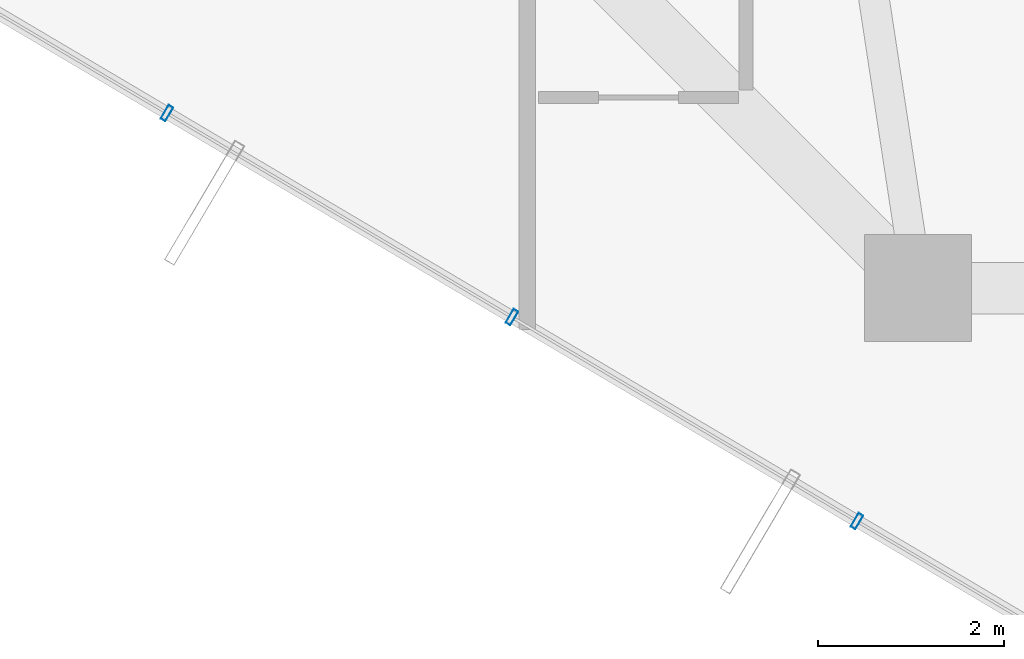
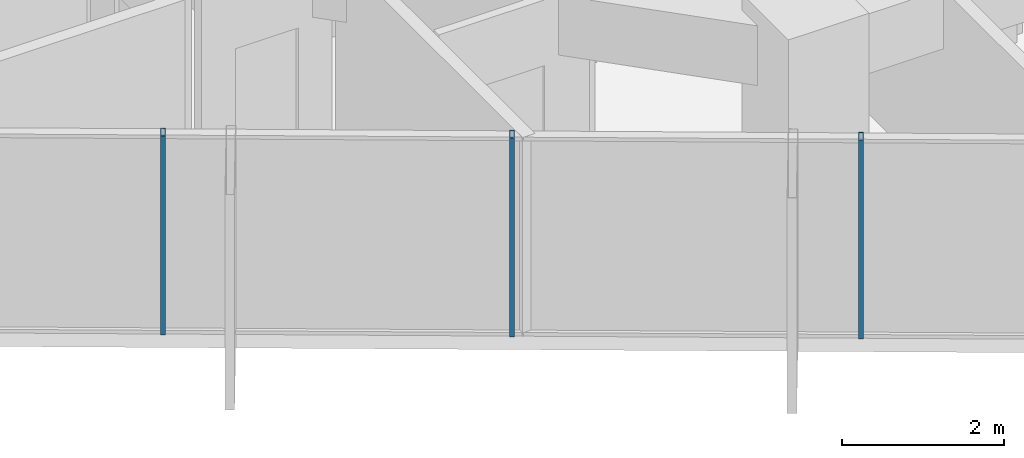
# One storey, part 2 of 30: 3 members, 1 element without a shape of its own.
"""IFC4 building model written with IfcOpenShell, lengths in metres."""

import ifcopenshell
import ifcopenshell.guid

model = None  # the IFC model being written
_history = None  # IfcOwnerHistory: only IFC2X3 demands one
_inside = {}  # id of a spatial element -> (the spatial element, [elements in it])
_under = {}  # id of a project, library or spatial element -> (it, [spatial elements below it])
_declared = {}  # id of a project -> (the project, [libraries it declares])
_typed = {}  # id of a type object -> (the type object, [elements of that type])
_made_of = {}  # id of a material, layer set ... -> (it, [elements and type objects made of it])


def new_model(schema):
    """Start an empty IFC model of exactly this schema.

    Asked for "IFC4X3", IfcOpenShell would pick the latest addendum, in which some entities
    have other attributes; the version numbers below select the first issue.
    IFC2X3 requires an IfcOwnerHistory on every rooted entity: one is made here for all.
    """
    global model, _history
    if schema == "IFC4X3":
        model = ifcopenshell.file(schema_version=(4, 3, 0, 0))
    else:
        model = ifcopenshell.file(schema=schema)
    _inside.clear()
    _under.clear()
    _declared.clear()
    _typed.clear()
    _made_of.clear()
    _history = None
    if model.schema == "IFC2X3":
        org = make("IfcOrganization", Name="unknown")
        user = make(
            "IfcPersonAndOrganization",
            ThePerson=make("IfcPerson", FamilyName="unknown"),
            TheOrganization=org,
        )
        app = make(
            "IfcApplication",
            ApplicationDeveloper=org,
            Version="unknown",
            ApplicationFullName="unknown",
            ApplicationIdentifier="unknown",
        )
        _history = make(
            "IfcOwnerHistory",
            OwningUser=user,
            OwningApplication=app,
            ChangeAction="ADDED",
            CreationDate=0,
        )
    return model


def make(cls, **values):
    """One entity of the class cls with the attributes given. An attribute that is None is left unset."""
    return model.create_entity(
        cls, **{name: value for name, value in values.items() if value is not None}
    )


def rooted(cls, **values):
    """An entity with a GlobalId (a new one), such as an element, a storey or a relation."""
    return make(cls, GlobalId=ifcopenshell.guid.new(), OwnerHistory=_history, **values)


def si_unit(unit_type, name, prefix=None):
    """IfcSIUnit, for example si_unit("LENGTHUNIT", "METRE", prefix="MILLI")."""
    return make("IfcSIUnit", UnitType=unit_type, Prefix=prefix, Name=name)


def assignment(units):
    """IfcUnitAssignment: the units of a project."""
    return None if units is None else make("IfcUnitAssignment", Units=units)


def point(xyz):
    """IfcCartesianPoint."""
    return None if xyz is None else make("IfcCartesianPoint", Coordinates=xyz)


def direction(xyz):
    """IfcDirection."""
    return None if xyz is None else make("IfcDirection", DirectionRatios=xyz)


def frame(location, z_axis=None, x_axis=None):
    """IfcAxis2Placement3D, a coordinate frame: its origin and axes. An axis left out is left unset."""
    return make(
        "IfcAxis2Placement3D",
        Location=point(location),
        Axis=direction(z_axis),
        RefDirection=direction(x_axis),
    )


def frame_2d(location, x_axis=None):
    """IfcAxis2Placement2D, a coordinate frame in the plane: its origin and x axis."""
    return make(
        "IfcAxis2Placement2D", Location=point(location), RefDirection=direction(x_axis)
    )


def origin():
    """The frame at (0, 0, 0) with its axes left unset."""
    return frame((0.0, 0.0, 0.0))


def origin_2d():
    """The frame at (0, 0) in the plane with its x axis left unset."""
    return frame_2d((0.0, 0.0))


def place(relative_to, where):
    """IfcLocalPlacement: puts the frame where relative to a parent placement (None: the world)."""
    return make(
        "IfcLocalPlacement", PlacementRelTo=relative_to, RelativePlacement=where
    )


def context(
    kind, dimensions, precision=None, world=None, true_north=None, identifier=None
):
    """IfcGeometricRepresentationContext, for example the 3D "Model" context."""
    return make(
        "IfcGeometricRepresentationContext",
        ContextIdentifier=identifier,
        ContextType=kind,
        CoordinateSpaceDimension=dimensions,
        Precision=precision,
        WorldCoordinateSystem=world,
        TrueNorth=true_north,
    )


def subcontext(parent, identifier, kind, view, scale=None):
    """IfcGeometricRepresentationSubContext, for example "Body" below "Model"."""
    return make(
        "IfcGeometricRepresentationSubContext",
        ContextIdentifier=identifier,
        ContextType=kind,
        ParentContext=parent,
        TargetScale=scale,
        TargetView=view,
    )


def project(units=None, contexts=None):
    """IfcProject with its units and contexts."""
    return rooted(
        "IfcProject",
        Name="project",
        RepresentationContexts=contexts,
        UnitsInContext=assignment(units),
    )


def spatial(cls, under=None, at=None, **own):
    """A site, building, storey or space (cls), placed at a placement, below another one or the project."""
    s = rooted(cls, ObjectPlacement=at, **own)
    if under is not None:
        _under.setdefault(under.id(), (under, []))[1].append(s)
    return s


def profile(cls, at=None, kind="AREA", **sizes):
    """A parametric profile (cls). Its sizes go by their IFC names, for example OverallWidth=200.0."""
    return make(cls, ProfileType=kind, Position=at, **sizes)


def hollow_rectangle(**sizes):
    """IfcRectangleHollowProfileDef."""
    return profile("IfcRectangleHollowProfileDef", **sizes)


def extrude(swept, where, along, depth):
    """IfcExtrudedAreaSolid: the profile swept, set in the frame where, extruded along a direction by depth."""
    return make(
        "IfcExtrudedAreaSolid",
        SweptArea=swept,
        Position=where,
        ExtrudedDirection=direction(along),
        Depth=depth,
    )


def shape(context_of_items, identifier, shape_type, items):
    """IfcShapeRepresentation: the items that make up one representation, for example the "Body"."""
    return make(
        "IfcShapeRepresentation",
        ContextOfItems=context_of_items,
        RepresentationIdentifier=identifier,
        RepresentationType=shape_type,
        Items=items,
    )


def source(mapping_origin, context_of_items, identifier, shape_type, items):
    """IfcRepresentationMap: a shape defined once, which mapped items show again and again."""
    return make(
        "IfcRepresentationMap",
        MappingOrigin=mapping_origin,
        MappedRepresentation=shape(context_of_items, identifier, shape_type, items),
    )


def transform(
    local_origin,
    x_axis=None,
    y_axis=None,
    z_axis=None,
    scale=None,
    scale2=None,
    scale3=None,
    uniform=True,
):
    """IfcCartesianTransformationOperator3D, or its non-uniform kind. x_axis, y_axis, z_axis: its Axis1, 2, 3."""
    if uniform:
        return make(
            "IfcCartesianTransformationOperator3D",
            Axis1=direction(x_axis),
            Axis2=direction(y_axis),
            LocalOrigin=point(local_origin),
            Scale=scale,
            Axis3=direction(z_axis),
        )
    return make(
        "IfcCartesianTransformationOperator3DnonUniform",
        Axis1=direction(x_axis),
        Axis2=direction(y_axis),
        LocalOrigin=point(local_origin),
        Scale=scale,
        Axis3=direction(z_axis),
        Scale2=scale2,
        Scale3=scale3,
    )


def mapped(mapping_source, mapping_target):
    """IfcMappedItem: shows the shape of a source again, moved by a transform."""
    return make(
        "IfcMappedItem", MappingSource=mapping_source, MappingTarget=mapping_target
    )


def material(Name=None, Category=None):
    """IfcMaterial."""
    return make("IfcMaterial", Name=Name, Category=Category)


def layer(
    of_material, thickness, ventilated=None, Name=None, Category=None, Priority=None
):
    """IfcMaterialLayer: one layer of a wall or slab, of a material (None: an air gap)."""
    return make(
        "IfcMaterialLayer",
        Material=of_material,
        LayerThickness=thickness,
        IsVentilated=ventilated,
        Name=Name,
        Category=Category,
        Priority=Priority,
    )


def layer_set(layers, Name=None):
    """IfcMaterialLayerSet."""
    return make("IfcMaterialLayerSet", MaterialLayers=layers, LayerSetName=Name)


def material_profile(
    of_material, cross_section, Name=None, Category=None, Priority=None
):
    """IfcMaterialProfile: a cross section and its material."""
    return make(
        "IfcMaterialProfile",
        Name=Name,
        Material=of_material,
        Profile=cross_section,
        Priority=Priority,
        Category=Category,
    )


def profile_set(profiles, Name=None, composite=None):
    """IfcMaterialProfileSet."""
    return make(
        "IfcMaterialProfileSet",
        Name=Name,
        MaterialProfiles=profiles,
        CompositeProfile=composite,
    )


def made_of(thing, what):
    """Note that an element or type object is made of a material, layer set ...; save() writes the relation."""
    if what is not None:
        _made_of.setdefault(what.id(), (what, []))[1].append(thing)
    return thing


def type_object(cls, material=None, **own):
    """A type object (cls), such as IfcWallType, which elements share."""
    return made_of(rooted(cls, **own), material)


def element(
    cls,
    number,
    at=None,
    inside=None,
    cuts=None,
    type_object=None,
    material=None,
    context=None,
    identifier="Body",
    shape_type=None,
    held_by="IfcProductDefinitionShape",
    body=None,
    shapes=None,
    **own,
):
    """One element of the class cls, such as IfcWall. Its Tag is "e" and its number.

    at: its placement. inside: the storey or other place that contains it. cuts: it is an
    opening in that element (IfcRelVoidsElement). A single representation is given by context,
    identifier, shape_type and body (its items); several are given by shapes. held_by: the class
    of the entity that holds the representations. save() writes the other relations.
    """
    e = rooted(cls, Tag="e%d" % number, ObjectPlacement=at, **own)
    if body is not None:
        shapes = [shape(context, identifier, shape_type, body)]
    if shapes is not None:
        e.Representation = make(held_by, Representations=shapes)
    if inside is not None:
        _inside.setdefault(inside.id(), (inside, []))[1].append(e)
    if cuts is not None:
        rooted(
            "IfcRelVoidsElement", RelatingBuildingElement=cuts, RelatedOpeningElement=e
        )
    if type_object is not None:
        _typed.setdefault(type_object.id(), (type_object, []))[1].append(e)
    return made_of(e, material)


def aggregate(whole, parts):
    """IfcRelAggregates: a whole, such as a stair, and the parts it consists of."""
    return rooted("IfcRelAggregates", RelatingObject=whole, RelatedObjects=parts)


def save(model, path):
    """Write the relations noted so far, then the file.

    IfcRelAggregates (storeys below a building ...), IfcRelContainedInSpatialStructure (elements
    in a storey), IfcRelDefinesByType, IfcRelAssociatesMaterial and IfcRelDeclares: one each for
    every whole, place, type object, material and project.
    """
    for whole, parts in _under.values():
        aggregate(whole, parts)
    for where, things in _inside.values():
        rooted(
            "IfcRelContainedInSpatialStructure",
            RelatedElements=things,
            RelatingStructure=where,
        )
    for kind, things in _typed.values():
        rooted("IfcRelDefinesByType", RelatedObjects=things, RelatingType=kind)
    for what, things in _made_of.values():
        rooted("IfcRelAssociatesMaterial", RelatedObjects=things, RelatingMaterial=what)
    for by, libraries in _declared.values():
        rooted("IfcRelDeclares", RelatingContext=by, RelatedDefinitions=libraries)
    model.write(path)


model = new_model("IFC4")

# Units and contexts
model_context = context("Model", 3, precision=1e-05, world=origin(), true_north=direction((0.0, 1.0)))
body_context = subcontext(model_context, "Body", "Model", "MODEL_VIEW")
ifc_project = project(units=[si_unit("LENGTHUNIT", "METRE"), si_unit("AREAUNIT", "SQUARE_METRE"), si_unit("VOLUMEUNIT", "CUBIC_METRE"), si_unit("PLANEANGLEUNIT", "RADIAN"), si_unit("MASSUNIT", "GRAM", prefix="KILO")], contexts=[model_context])

# Site, building, storey
site_placement = place(None, origin())
site = spatial("IfcSite", under=ifc_project, at=site_placement, CompositionType="ELEMENT")
building_placement = place(site_placement, origin())
building = spatial("IfcBuilding", under=site, at=building_placement, Name="Veraguas Prism Commons", CompositionType="ELEMENT")
storey_placement = place(building_placement, frame((0.0, 0.0, 126.25)))
storey = spatial("IfcBuildingStorey", under=building, at=storey_placement, Name="L35", CompositionType="ELEMENT", Elevation=126.25)

# Curtain wall, members
ifc_material = material(Name="Anodised aluminium EN AW-6063 T6", Category="aluminium")
ifc_layer = layer(ifc_material, 0.169921875, Name="Unitised Flush Curtain Wall Zone 2", Category="aluminium")
ifc_layer_set = layer_set([ifc_layer], Name="Anodised aluminium EN AW-6063 T6")
curtain_wall_type = type_object("IfcCurtainWallType", Name="Unitised Flush Curtain Wall Zone 2", PredefinedType="NOTDEFINED", material=ifc_layer_set)
curtain_wall_placement = place(storey_placement, origin())
curtain_wall = element("IfcCurtainWall", 1, at=curtain_wall_placement, inside=storey, type_object=curtain_wall_type, Name="Tower Facade Curtain Wall L35-F4", PredefinedType="NOTDEFINED")
ifc_material_profile = material_profile(ifc_material, hollow_rectangle(XDim=0.06005859375, YDim=0.169921875, WallThickness=0.00390625, at=origin_2d()), Name="AL60X170X4")
ifc_profile_set = profile_set([ifc_material_profile], Name="Anodised aluminium EN AW-6063 T6")
member_type = type_object("IfcMemberType", Name="Curtain Wall Mullion Lower AL 60x170x4", PredefinedType="MULLION", material=ifc_profile_set)
shared_shape = source(origin(), body_context, "Body", "SweptSolid", [
    extrude(hollow_rectangle(XDim=0.06005859375, YDim=0.169921875, WallThickness=0.00390625, at=origin_2d()), origin(), (0.0, 0.0, 1.0), 3.0),
])
member_1_placement = place(storey_placement, frame((10.526611328125, 9.68212890625, 0.0), z_axis=(0.0, 0.0, 1.0), x_axis=(0.860742027004, -0.50904141575, 0.0)))
member_1 = element("IfcMember", 2, at=member_1_placement, type_object=member_type, Name="CW-Z2 Mullion 2", PredefinedType="MULLION", context=body_context, shape_type="MappedRepresentation", body=[
    mapped(shared_shape, transform((0.0, 0.0, 0.0), scale=1.0)),
])
member_2_placement = place(storey_placement, frame((14.2353515625, 7.48876953125, 0.0), z_axis=(0.0, 0.0, 1.0), x_axis=(0.860742027004, -0.50904141575, 0.0)))
member_2 = element("IfcMember", 3, at=member_2_placement, type_object=member_type, Name="CW-Z2 Mullion 3", PredefinedType="MULLION", context=body_context, shape_type="MappedRepresentation", body=[
    mapped(shared_shape, transform((0.0, 0.0, 0.0), scale=1.0)),
])
member_3_placement = place(storey_placement, frame((17.944091796875, 5.295654296875, 0.0), z_axis=(0.0, 0.0, 1.0), x_axis=(0.860742027004, -0.50904141575, 0.0)))
member_3 = element("IfcMember", 4, at=member_3_placement, type_object=member_type, Name="CW-Z2 Mullion 4", PredefinedType="MULLION", context=body_context, shape_type="MappedRepresentation", body=[
    mapped(shared_shape, transform((0.0, 0.0, 0.0), scale=1.0)),
])
aggregate(curtain_wall, [member_1, member_2, member_3])

save(model, "model.ifc")
